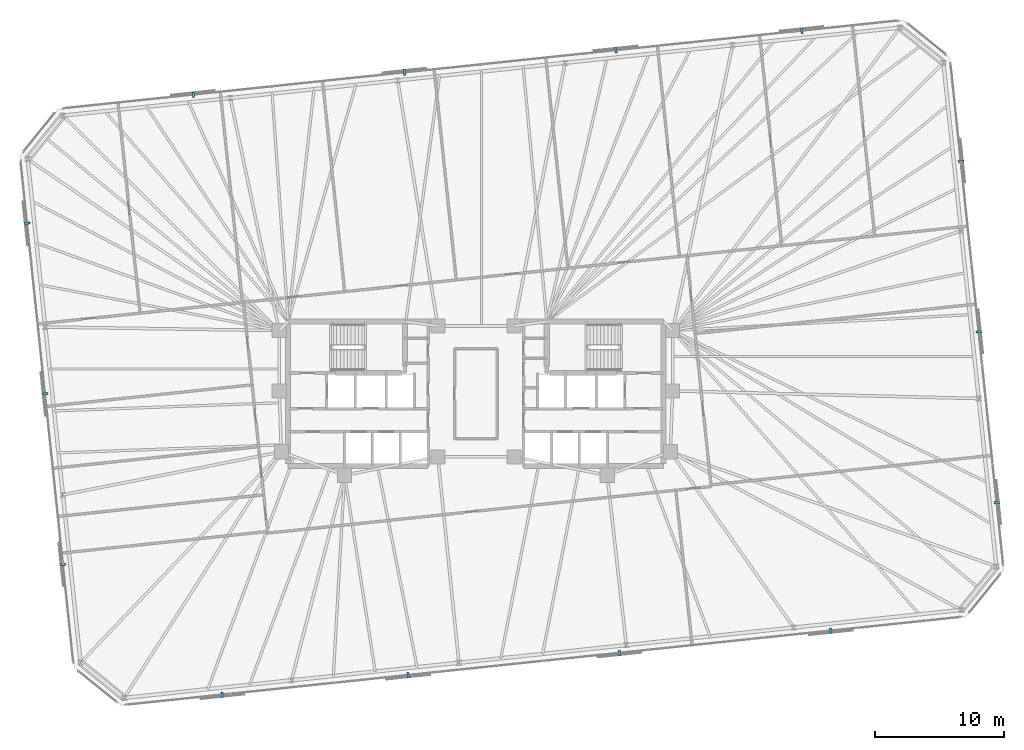
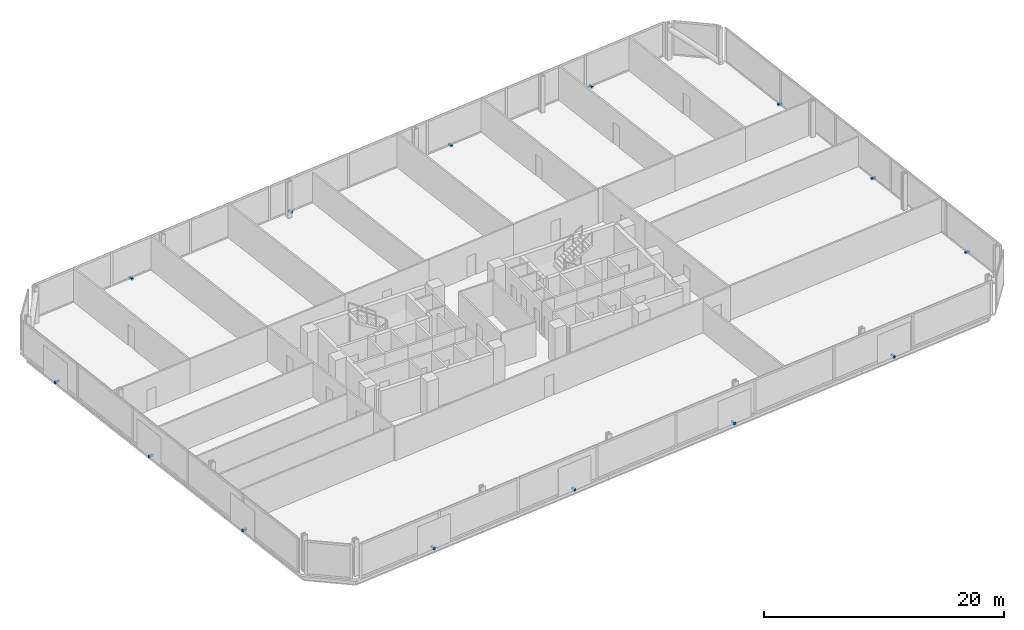
# One storey, part 17 of 18: 14 discrete accessories.
"""IFC4 building model written with IfcOpenShell, lengths in metres."""

from ifc_helpers import new_model, si_unit, direction, frame, origin, origin_2d, place, context, subcontext, project, spatial, rectangle, extrude, material, type_object, element, save


model = new_model("IFC4")

# Units and contexts
model_context = context("Model", 3, precision=1e-05, world=origin(), true_north=direction((0.0, 1.0)))
body_context = subcontext(model_context, "Body", "Model", "MODEL_VIEW")
ifc_project = project(units=[si_unit("LENGTHUNIT", "METRE"), si_unit("AREAUNIT", "SQUARE_METRE"), si_unit("VOLUMEUNIT", "CUBIC_METRE"), si_unit("PLANEANGLEUNIT", "RADIAN"), si_unit("MASSUNIT", "GRAM", prefix="KILO")], contexts=[model_context])

# Site, building, storey
site_placement = place(None, origin())
site = spatial("IfcSite", under=ifc_project, at=site_placement, CompositionType="ELEMENT")
building_placement = place(site_placement, origin())
building = spatial("IfcBuilding", under=site, at=building_placement, Name="Menara Jurai Vektor", CompositionType="ELEMENT")
storey_placement = place(building_placement, frame((0.0, 0.0, 128.10009765625)))
storey = spatial("IfcBuildingStorey", under=building, at=storey_placement, Name="L32", CompositionType="ELEMENT", Elevation=128.10009765625)

# Discrete accessories
ifc_material = material(Name="Steel S355", Category="steel")
discrete_accessory_type = type_object("IfcDiscreteAccessoryType", Name="ENV-ACC-BRACKET", PredefinedType="BRACKET", material=ifc_material)
for number, where, z_axis, x_axis, name in (
    (1, (-19.673583984375, -23.35009765625, -0.1298828125), (0.0, 0.0, 1.0), (0.994521895368, 0.104528463268, 0.0), "Solar Screen Stand-Off Bracket L32-S01"),
    (2, (-5.2548828125, -21.834716796875, -0.1298828125), (0.0, 0.0, 1.0), (0.994521895368, 0.104528463268, 0.0), "Solar Screen Stand-Off Bracket L32-S02"),
    (3, (11.1298828125, -20.112548828125, -0.1298828125), (0.0, 0.0, 1.0), (0.994521895368, 0.104528463268, 0.0), "Solar Screen Stand-Off Bracket L32-S03"),
    (4, (27.5146484375, -18.390380859375, -0.1298828125), (0.0, 0.0, 1.0), (0.994521895368, 0.104528463268, 0.0), "Solar Screen Stand-Off Bracket L32-S04"),
    (5, (40.397705078125, -8.42578125, -0.1298828125), (0.0, 0.0, 1.0), (-0.104528463268, 0.994521895368, 0.0), "Solar Screen Stand-Off Bracket L32-S05"),
    (6, (39.00732421875, 4.80126953125, -0.1298828125), (0.0, 0.0, 1.0), (-0.104528463268, 0.994521895368, 0.0), "Solar Screen Stand-Off Bracket L32-S06"),
    (7, (37.6171875, 18.028564453125, -0.1298828125), (0.0, 0.0, 1.0), (-0.104528463268, 0.994521895368, 0.0), "Solar Screen Stand-Off Bracket L32-S07"),
    (8, (25.2734375, 28.150146484375, -0.1298828125), (0.0, 0.0, 1.0), (-0.994521895368, -0.104528463268, 0.0), "Solar Screen Stand-Off Bracket L32-S08"),
    (9, (10.85498046875, 26.634765625, -0.1298828125), (0.0, 0.0, 1.0), (-0.994521895368, -0.104528463268, 0.0), "Solar Screen Stand-Off Bracket L32-S09"),
    (10, (-5.52978515625, 24.91259765625, -0.1298828125), (0.0, 0.0, 1.0), (-0.994521895368, -0.104528463268, 0.0), "Solar Screen Stand-Off Bracket L32-S10"),
    (11, (-21.91455078125, 23.1904296875, -0.1298828125), (0.0, 0.0, 1.0), (-0.994521895368, -0.104528463268, 0.0), "Solar Screen Stand-Off Bracket L32-S11"),
    (12, (-34.797607421875, 13.225830078125, -0.1298828125), (0.0, 0.0, 1.0), (0.104528463268, -0.994521895368, 0.0), "Solar Screen Stand-Off Bracket L32-S12"),
    (13, (-33.407470703125, -0.001220703125, -0.1298828125), (0.0, 0.0, 1.0), (0.104528463268, -0.994521895368, 0.0), "Solar Screen Stand-Off Bracket L32-S13"),
    (14, (-32.01708984375, -13.228515625, -0.1298828125), (0.0, 0.0, 1.0), (0.104528463268, -0.994521895368, 0.0), "Solar Screen Stand-Off Bracket L32-S14"),
):
    element("IfcDiscreteAccessory", number, at=place(storey_placement, frame(where, z_axis=z_axis, x_axis=x_axis)), inside=storey, type_object=discrete_accessory_type, Name=name, PredefinedType="BRACKET", context=body_context, shape_type="SweptSolid", body=[
        extrude(rectangle(XDim=0.179931640625, YDim=0.43994140625, at=origin_2d()), origin(), (0.0, 0.0, 1.0), 0.219970703125),
    ])

save(model, "model.ifc")
